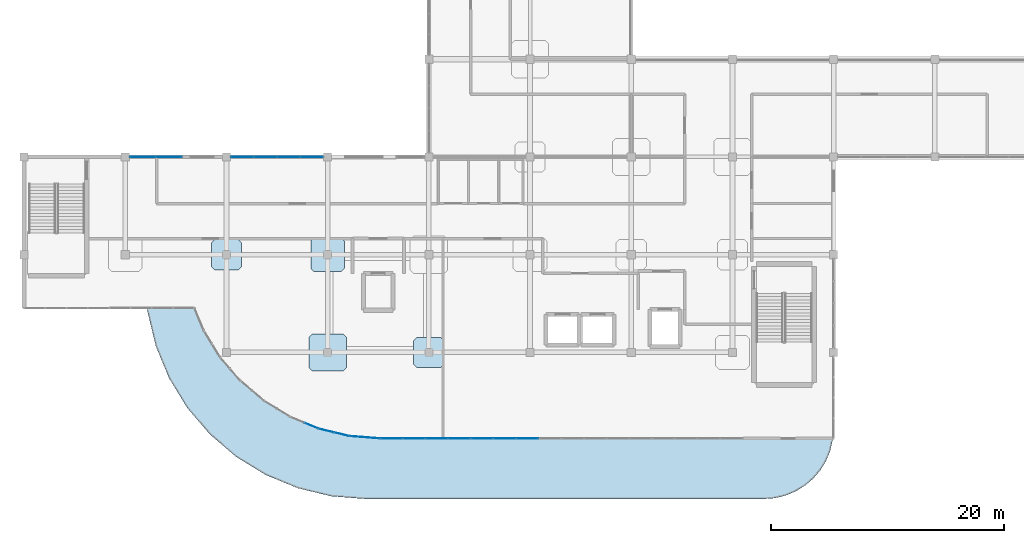
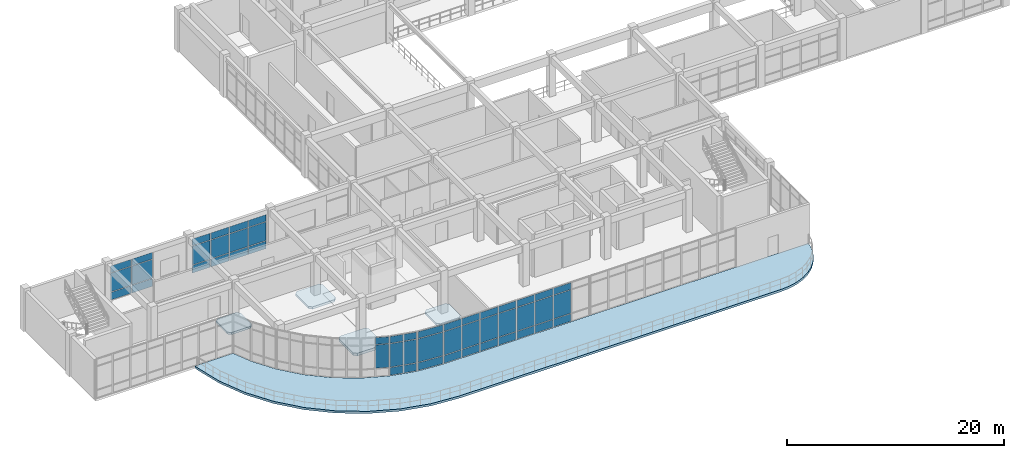
# One storey, part 47 of 64: 50 plates, 5 slabs, 7 elements without a shape of their own.
"""IFC4 building model written with IfcOpenShell, lengths in metres."""

from ifc_helpers import new_model, si_unit, derived_unit, direction, frame, origin, origin_2d, place, context, subcontext, project, spatial, polyline, rectangle, outline, extrude, material, layer, layer_set, type_object, element, aggregate, save


model = new_model("IFC4")

# Units and contexts
model_context = context("Model", 3, precision=1e-05, world=origin(), true_north=direction((0.0, 1.0)))
body_context = subcontext(model_context, "Body", "Model", "MODEL_VIEW")
ifc_project = project(units=[si_unit("LENGTHUNIT", "METRE"), si_unit("AREAUNIT", "SQUARE_METRE"), si_unit("VOLUMEUNIT", "CUBIC_METRE"), si_unit("PLANEANGLEUNIT", "RADIAN"), si_unit("MASSUNIT", "GRAM", prefix="KILO"), derived_unit("THERMALTRANSMITTANCEUNIT", [(si_unit("MASSUNIT", "GRAM", prefix="KILO"), 1), (si_unit("TIMEUNIT", "SECOND"), -3), (si_unit("THERMODYNAMICTEMPERATUREUNIT", "KELVIN"), -1)])], contexts=[model_context])

# Site, building, storey
site_placement = place(None, origin())
site = spatial("IfcSite", under=ifc_project, at=site_placement, CompositionType="ELEMENT")
building_placement = place(site_placement, origin())
building = spatial("IfcBuilding", under=site, at=building_placement, Name="Qinzheling Arcade Emporium", CompositionType="ELEMENT")
storey_placement = place(building_placement, frame((0.0, 0.0, 31.5)))
storey = spatial("IfcBuildingStorey", under=building, at=storey_placement, Name="L07", CompositionType="ELEMENT", Elevation=31.5)

# Slabs
ifc_material_1 = material(Name="Concrete C40", Category="concrete")
ifc_layer_1 = layer(ifc_material_1, 0.235107421875, Name="Concrete C40", Category="concrete")
ifc_layer_set_1 = layer_set([ifc_layer_1], Name="Concrete C40")
slab_type_1 = type_object("IfcSlabType", Name="Column Head Drop Panel 2600x2600x235 C40", PredefinedType="USERDEFINED", material=ifc_layer_set_1)
slab_1_placement = place(storey_placement, frame((0.0, 0.0, -0.514892578125)))
element("IfcSlab", 1, at=slab_1_placement, inside=storey, type_object=slab_type_1, Name="Column Drop Panel DP-L07-3-E", ObjectType="DROP_PANEL", PredefinedType="USERDEFINED", context=body_context, shape_type="SweptSolid", body=[
    extrude(outline(polyline([(16.3798828125, 32.300048828125), (18.419921875, 32.300048828125), (18.699951171875, 32.580078125), (18.699951171875, 34.6201171875), (18.419921875, 34.89990234375), (16.3798828125, 34.89990234375), (16.10009765625, 34.6201171875), (16.10009765625, 32.580078125), (16.3798828125, 32.300048828125)])), origin(), (0.0, 0.0, 1.0), 0.23486328125),
])
slab_2_placement = place(storey_placement, frame((0.0, 0.0, -0.514892578125)))
element("IfcSlab", 2, at=slab_2_placement, inside=storey, type_object=slab_type_1, Name="Column Drop Panel DP-L07-5-D", ObjectType="DROP_PANEL", PredefinedType="USERDEFINED", context=body_context, shape_type="SweptSolid", body=[
    extrude(outline(polyline([(33.780029296875, 23.89990234375), (35.820068359375, 23.89990234375), (36.10009765625, 24.179931640625), (36.10009765625, 26.219970703125), (35.820068359375, 26.5), (33.780029296875, 26.5), (33.5, 26.219970703125), (33.5, 24.179931640625), (33.780029296875, 23.89990234375)])), origin(), (0.0, 0.0, 1.0), 0.23486328125),
])
ifc_layer_2 = layer(ifc_material_1, 0.27001953125, Name="Concrete C40", Category="concrete")
ifc_layer_set_2 = layer_set([ifc_layer_2], Name="Concrete C40")
slab_type_2 = type_object("IfcSlabType", Name="Column Head Drop Panel 2900x2900x270 C40", PredefinedType="USERDEFINED", material=ifc_layer_set_2)
slab_3_placement = place(storey_placement, frame((0.0, 0.0, -0.550048828125)))
element("IfcSlab", 3, at=slab_3_placement, inside=storey, type_object=slab_type_2, Name="Column Drop Panel DP-L07-4-E", ObjectType="DROP_PANEL", PredefinedType="USERDEFINED", context=body_context, shape_type="SweptSolid", body=[
    extrude(outline(polyline([(24.929931640625, 32.14990234375), (27.27001953125, 32.14990234375), (27.550048828125, 32.429931640625), (27.550048828125, 34.77001953125), (27.27001953125, 35.050048828125), (24.929931640625, 35.050048828125), (24.64990234375, 34.77001953125), (24.64990234375, 32.429931640625), (24.929931640625, 32.14990234375)])), origin(), (0.0, 0.0, 1.0), 0.27001953125),
])
ifc_layer_3 = layer(ifc_material_1, 0.300048828125, Name="Concrete C40", Category="concrete")
ifc_layer_set_3 = layer_set([ifc_layer_3], Name="Concrete C40")
slab_type_3 = type_object("IfcSlabType", Name="Column Head Drop Panel 3200x3200x300 C40", PredefinedType="USERDEFINED", material=ifc_layer_set_3)
slab_4_placement = place(storey_placement, frame((0.0, 0.0, -0.580078125)))
element("IfcSlab", 4, at=slab_4_placement, inside=storey, type_object=slab_type_3, Name="Column Drop Panel DP-L07-4-D", ObjectType="DROP_PANEL", PredefinedType="USERDEFINED", context=body_context, shape_type="SweptSolid", body=[
    extrude(outline(polyline([(24.780029296875, 23.60009765625), (27.419921875, 23.60009765625), (27.699951171875, 23.8798828125), (27.699951171875, 26.52001953125), (27.419921875, 26.800048828125), (24.780029296875, 26.800048828125), (24.5, 26.52001953125), (24.5, 23.8798828125), (24.780029296875, 23.60009765625)])), origin(), (0.0, 0.0, 1.0), 0.300048828125),
])

# Curtain wall, plates
ifc_material_2 = material(Name="Anodised aluminium and solar-control double glazing", Category="aluminium")
ifc_layer_4 = layer(ifc_material_2, 0.159912109375, Name="Anodised aluminium and solar-control double glazing", Category="aluminium")
ifc_layer_set_4 = layer_set([ifc_layer_4], Name="Anodised aluminium and solar-control double glazing")
curtain_wall_type_1 = type_object("IfcCurtainWallType", Name="Atrium Clerestory Curtain Wall", PredefinedType="NOTDEFINED", material=ifc_layer_set_4)
curtain_wall_1_placement = place(storey_placement, origin())
curtain_wall_1 = element("IfcCurtainWall", 5, at=curtain_wall_1_placement, inside=storey, type_object=curtain_wall_type_1, Name="Curtain Wall CW-L07-411", PredefinedType="NOTDEFINED")
ifc_material_3 = material(Name="Laminated solar-control double glazing", Category="glass")
ifc_layer_5 = layer(ifc_material_3, 0.02197265625, Name="Laminated solar-control double glazing", Category="glass")
ifc_layer_set_5 = layer_set([ifc_layer_5], Name="Laminated solar-control double glazing")
plate_type_1 = type_object("IfcPlateType", Name="Low-E Double Glazed Curtain Panel 22mm", PredefinedType="CURTAIN_PANEL", material=ifc_layer_set_5)
plate_1_placement = place(storey_placement, frame((10.2041015625, 42.0, 0.06005859375), z_axis=(0.0, 0.0, 1.0), x_axis=(1.0, 0.0, 0.0)))
plate_1 = element("IfcPlate", 6, at=plate_1_placement, type_object=plate_type_1, Name="CW03 panel 1.1", PredefinedType="CURTAIN_PANEL", context=body_context, shape_type="SweptSolid", body=[
    extrude(rectangle(XDim=2.18408203125, YDim=0.02197265625, at=origin_2d()), origin(), (0.0, 0.0, 1.0), 0.860107421875),
])
plate_2_placement = place(storey_placement, frame((10.2041015625, 42.0, 0.97998046875), z_axis=(0.0, 0.0, 1.0), x_axis=(1.0, 0.0, 0.0)))
plate_2 = element("IfcPlate", 7, at=plate_2_placement, type_object=plate_type_1, Name="CW03 panel 1.2", PredefinedType="CURTAIN_PANEL", context=body_context, shape_type="SweptSolid", body=[
    extrude(rectangle(XDim=2.18408203125, YDim=0.02197265625, at=origin_2d()), origin(), (0.0, 0.0, 1.0), 2.094970703125),
])
plate_3_placement = place(storey_placement, frame((10.2041015625, 42.0, 3.134765625), z_axis=(0.0, 0.0, 1.0), x_axis=(1.0, 0.0, 0.0)))
plate_3 = element("IfcPlate", 8, at=plate_3_placement, type_object=plate_type_1, Name="CW03 panel 1.3", PredefinedType="CURTAIN_PANEL", context=body_context, shape_type="SweptSolid", body=[
    extrude(rectangle(XDim=2.18408203125, YDim=0.02197265625, at=origin_2d()), origin(), (0.0, 0.0, 1.0), 0.760009765625),
])
plate_4_placement = place(storey_placement, frame((12.447998046875, 42.0, 0.06005859375), z_axis=(0.0, 0.0, 1.0), x_axis=(1.0, 0.0, 0.0)))
plate_4 = element("IfcPlate", 9, at=plate_4_placement, type_object=plate_type_1, Name="CW03 panel 2.1", PredefinedType="CURTAIN_PANEL", context=body_context, shape_type="SweptSolid", body=[
    extrude(rectangle(XDim=2.18408203125, YDim=0.02197265625, at=origin_2d()), origin(), (0.0, 0.0, 1.0), 0.860107421875),
])
plate_5_placement = place(storey_placement, frame((12.447998046875, 42.0, 0.97998046875), z_axis=(0.0, 0.0, 1.0), x_axis=(1.0, 0.0, 0.0)))
plate_5 = element("IfcPlate", 10, at=plate_5_placement, type_object=plate_type_1, Name="CW03 panel 2.2", PredefinedType="CURTAIN_PANEL", context=body_context, shape_type="SweptSolid", body=[
    extrude(rectangle(XDim=2.18408203125, YDim=0.02197265625, at=origin_2d()), origin(), (0.0, 0.0, 1.0), 2.094970703125),
])
plate_6_placement = place(storey_placement, frame((12.447998046875, 42.0, 3.134765625), z_axis=(0.0, 0.0, 1.0), x_axis=(1.0, 0.0, 0.0)))
plate_6 = element("IfcPlate", 11, at=plate_6_placement, type_object=plate_type_1, Name="CW03 panel 2.3", PredefinedType="CURTAIN_PANEL", context=body_context, shape_type="SweptSolid", body=[
    extrude(rectangle(XDim=2.18408203125, YDim=0.02197265625, at=origin_2d()), origin(), (0.0, 0.0, 1.0), 0.760009765625),
])
aggregate(curtain_wall_1, [plate_1, plate_2, plate_3, plate_4, plate_5, plate_6])

curtain_wall_2_placement = place(storey_placement, origin())
curtain_wall_2 = element("IfcCurtainWall", 12, at=curtain_wall_2_placement, inside=storey, type_object=curtain_wall_type_1, Name="Curtain Wall CW-L07-412", PredefinedType="NOTDEFINED")
ifc_layer_6 = layer(ifc_material_3, 0.02392578125, Name="Laminated solar-control double glazing", Category="glass")
ifc_layer_set_6 = layer_set([ifc_layer_6], Name="Laminated solar-control double glazing")
plate_type_2 = type_object("IfcPlateType", Name="Low-E Double Glazed Curtain Panel 24mm", PredefinedType="CURTAIN_PANEL", material=ifc_layer_set_6)
plate_7_placement = place(storey_placement, frame((18.7666015625, 42.0, 0.06005859375), z_axis=(0.0, 0.0, 1.0), x_axis=(1.0, 0.0, 0.0)))
plate_7 = element("IfcPlate", 13, at=plate_7_placement, type_object=plate_type_2, Name="CW03 panel 1.1", PredefinedType="CURTAIN_PANEL", context=body_context, shape_type="SweptSolid", body=[
    extrude(rectangle(XDim=1.908935546875, YDim=0.02392578125, at=origin_2d()), origin(), (0.0, 0.0, 1.0), 0.860107421875),
])
plate_8_placement = place(storey_placement, frame((18.7666015625, 42.0, 0.97998046875), z_axis=(0.0, 0.0, 1.0), x_axis=(1.0, 0.0, 0.0)))
plate_8 = element("IfcPlate", 14, at=plate_8_placement, type_object=plate_type_2, Name="CW03 panel 1.2", PredefinedType="CURTAIN_PANEL", context=body_context, shape_type="SweptSolid", body=[
    extrude(rectangle(XDim=1.908935546875, YDim=0.02392578125, at=origin_2d()), origin(), (0.0, 0.0, 1.0), 2.094970703125),
])
plate_9_placement = place(storey_placement, frame((18.7666015625, 42.0, 3.134765625), z_axis=(0.0, 0.0, 1.0), x_axis=(1.0, 0.0, 0.0)))
plate_9 = element("IfcPlate", 15, at=plate_9_placement, type_object=plate_type_2, Name="CW03 panel 1.3", PredefinedType="CURTAIN_PANEL", context=body_context, shape_type="SweptSolid", body=[
    extrude(rectangle(XDim=1.908935546875, YDim=0.02392578125, at=origin_2d()), origin(), (0.0, 0.0, 1.0), 0.760009765625),
])
plate_10_placement = place(storey_placement, frame((20.75048828125, 42.0, 0.06005859375), z_axis=(0.0, 0.0, 1.0), x_axis=(1.0, 0.0, 0.0)))
plate_10 = element("IfcPlate", 16, at=plate_10_placement, type_object=plate_type_2, Name="CW03 panel 2.1", PredefinedType="CURTAIN_PANEL", context=body_context, shape_type="SweptSolid", body=[
    extrude(rectangle(XDim=1.93896484375, YDim=0.02392578125, at=origin_2d()), origin(), (0.0, 0.0, 1.0), 0.860107421875),
])
plate_11_placement = place(storey_placement, frame((20.75048828125, 42.0, 0.97998046875), z_axis=(0.0, 0.0, 1.0), x_axis=(1.0, 0.0, 0.0)))
plate_11 = element("IfcPlate", 17, at=plate_11_placement, type_object=plate_type_2, Name="CW03 panel 2.2", PredefinedType="CURTAIN_PANEL", context=body_context, shape_type="SweptSolid", body=[
    extrude(rectangle(XDim=1.93896484375, YDim=0.02392578125, at=origin_2d()), origin(), (0.0, 0.0, 1.0), 2.094970703125),
])
plate_12_placement = place(storey_placement, frame((20.75048828125, 42.0, 3.134765625), z_axis=(0.0, 0.0, 1.0), x_axis=(1.0, 0.0, 0.0)))
plate_12 = element("IfcPlate", 18, at=plate_12_placement, type_object=plate_type_2, Name="CW03 panel 2.3", PredefinedType="CURTAIN_PANEL", context=body_context, shape_type="SweptSolid", body=[
    extrude(rectangle(XDim=1.93896484375, YDim=0.02392578125, at=origin_2d()), origin(), (0.0, 0.0, 1.0), 0.760009765625),
])
plate_13_placement = place(storey_placement, frame((22.74951171875, 42.0, 0.06005859375), z_axis=(0.0, 0.0, 1.0), x_axis=(1.0, 0.0, 0.0)))
plate_13 = element("IfcPlate", 19, at=plate_13_placement, type_object=plate_type_2, Name="CW03 panel 3.1", PredefinedType="CURTAIN_PANEL", context=body_context, shape_type="SweptSolid", body=[
    extrude(rectangle(XDim=1.93896484375, YDim=0.02392578125, at=origin_2d()), origin(), (0.0, 0.0, 1.0), 0.860107421875),
])
plate_14_placement = place(storey_placement, frame((22.74951171875, 42.0, 0.97998046875), z_axis=(0.0, 0.0, 1.0), x_axis=(1.0, 0.0, 0.0)))
plate_14 = element("IfcPlate", 20, at=plate_14_placement, type_object=plate_type_2, Name="CW03 panel 3.2", PredefinedType="CURTAIN_PANEL", context=body_context, shape_type="SweptSolid", body=[
    extrude(rectangle(XDim=1.93896484375, YDim=0.02392578125, at=origin_2d()), origin(), (0.0, 0.0, 1.0), 2.094970703125),
])
plate_15_placement = place(storey_placement, frame((22.74951171875, 42.0, 3.134765625), z_axis=(0.0, 0.0, 1.0), x_axis=(1.0, 0.0, 0.0)))
plate_15 = element("IfcPlate", 21, at=plate_15_placement, type_object=plate_type_2, Name="CW03 panel 3.3", PredefinedType="CURTAIN_PANEL", context=body_context, shape_type="SweptSolid", body=[
    extrude(rectangle(XDim=1.93896484375, YDim=0.02392578125, at=origin_2d()), origin(), (0.0, 0.0, 1.0), 0.760009765625),
])
plate_16_placement = place(storey_placement, frame((24.7333984375, 42.0, 0.06005859375), z_axis=(0.0, 0.0, 1.0), x_axis=(1.0, 0.0, 0.0)))
plate_16 = element("IfcPlate", 22, at=plate_16_placement, type_object=plate_type_2, Name="CW03 panel 4.1", PredefinedType="CURTAIN_PANEL", context=body_context, shape_type="SweptSolid", body=[
    extrude(rectangle(XDim=1.908935546875, YDim=0.02392578125, at=origin_2d()), origin(), (0.0, 0.0, 1.0), 0.860107421875),
])
plate_17_placement = place(storey_placement, frame((24.7333984375, 42.0, 0.97998046875), z_axis=(0.0, 0.0, 1.0), x_axis=(1.0, 0.0, 0.0)))
plate_17 = element("IfcPlate", 23, at=plate_17_placement, type_object=plate_type_2, Name="CW03 panel 4.2", PredefinedType="CURTAIN_PANEL", context=body_context, shape_type="SweptSolid", body=[
    extrude(rectangle(XDim=1.908935546875, YDim=0.02392578125, at=origin_2d()), origin(), (0.0, 0.0, 1.0), 2.094970703125),
])
plate_18_placement = place(storey_placement, frame((24.7333984375, 42.0, 3.134765625), z_axis=(0.0, 0.0, 1.0), x_axis=(1.0, 0.0, 0.0)))
plate_18 = element("IfcPlate", 24, at=plate_18_placement, type_object=plate_type_2, Name="CW03 panel 4.3", PredefinedType="CURTAIN_PANEL", context=body_context, shape_type="SweptSolid", body=[
    extrude(rectangle(XDim=1.908935546875, YDim=0.02392578125, at=origin_2d()), origin(), (0.0, 0.0, 1.0), 0.760009765625),
])
aggregate(curtain_wall_2, [plate_7, plate_8, plate_9, plate_10, plate_11, plate_12, plate_13, plate_14, plate_15, plate_16, plate_17, plate_18])

ifc_layer_7 = layer(ifc_material_2, 0.159912109375, Name="Anodised aluminium and solar-control double glazing", Category="aluminium")
ifc_layer_set_7 = layer_set([ifc_layer_7], Name="Anodised aluminium and solar-control double glazing")
curtain_wall_type_2 = type_object("IfcCurtainWallType", Name="Arcade Portal Glazed Curtain Wall", PredefinedType="NOTDEFINED", material=ifc_layer_set_7)
curtain_wall_3_placement = place(storey_placement, origin())
curtain_wall_3 = element("IfcCurtainWall", 25, at=curtain_wall_3_placement, inside=storey, type_object=curtain_wall_type_2, Name="Curtain Wall CW-L07-399", PredefinedType="NOTDEFINED")
ifc_layer_8 = layer(ifc_material_3, 0.027099609375, Name="Laminated solar-control double glazing", Category="glass")
ifc_layer_set_8 = layer_set([ifc_layer_8], Name="Laminated solar-control double glazing")
plate_type_3 = type_object("IfcPlateType", Name="Low-E Double Glazed Curtain Panel 27mm", PredefinedType="CURTAIN_PANEL", material=ifc_layer_set_8)
plate_19_placement = place(storey_placement, frame((43.2744140625, 17.800048828125, 0.06005859375), z_axis=(0.0, 0.0, 1.0), x_axis=(-1.0, 0.0, 0.0)))
plate_19 = element("IfcPlate", 26, at=plate_19_placement, type_object=plate_type_3, Name="CW05 panel 2.1", PredefinedType="CURTAIN_PANEL", context=body_context, shape_type="SweptSolid", body=[
    extrude(rectangle(XDim=1.888916015625, YDim=0.027099609375, at=origin_2d()), origin(), (0.0, 0.0, 1.0), 0.860107421875),
])
plate_20_placement = place(storey_placement, frame((43.2744140625, 17.800048828125, 0.97998046875), z_axis=(0.0, 0.0, 1.0), x_axis=(-1.0, 0.0, 0.0)))
plate_20 = element("IfcPlate", 27, at=plate_20_placement, type_object=plate_type_3, Name="CW05 panel 2.2", PredefinedType="CURTAIN_PANEL", context=body_context, shape_type="SweptSolid", body=[
    extrude(rectangle(XDim=1.888916015625, YDim=0.027099609375, at=origin_2d()), origin(), (0.0, 0.0, 1.0), 2.6298828125),
])
plate_21_placement = place(storey_placement, frame((43.2744140625, 17.800048828125, 3.669921875), z_axis=(0.0, 0.0, 1.0), x_axis=(-1.0, 0.0, 0.0)))
plate_21 = element("IfcPlate", 28, at=plate_21_placement, type_object=plate_type_3, Name="CW05 panel 2.3", PredefinedType="CURTAIN_PANEL", context=body_context, shape_type="SweptSolid", body=[
    extrude(rectangle(XDim=1.888916015625, YDim=0.027099609375, at=origin_2d()), origin(), (0.0, 0.0, 1.0), 0.760009765625),
])
plate_22_placement = place(storey_placement, frame((41.325439453125, 17.800048828125, 0.06005859375), z_axis=(0.0, 0.0, 1.0), x_axis=(-1.0, 0.0, 0.0)))
plate_22 = element("IfcPlate", 29, at=plate_22_placement, type_object=plate_type_3, Name="CW05 panel 3.1", PredefinedType="CURTAIN_PANEL", context=body_context, shape_type="SweptSolid", body=[
    extrude(rectangle(XDim=1.888916015625, YDim=0.027099609375, at=origin_2d()), origin(), (0.0, 0.0, 1.0), 0.860107421875),
])
plate_23_placement = place(storey_placement, frame((41.325439453125, 17.800048828125, 0.97998046875), z_axis=(0.0, 0.0, 1.0), x_axis=(-1.0, 0.0, 0.0)))
plate_23 = element("IfcPlate", 30, at=plate_23_placement, type_object=plate_type_3, Name="CW05 panel 3.2", PredefinedType="CURTAIN_PANEL", context=body_context, shape_type="SweptSolid", body=[
    extrude(rectangle(XDim=1.888916015625, YDim=0.027099609375, at=origin_2d()), origin(), (0.0, 0.0, 1.0), 2.6298828125),
])
plate_24_placement = place(storey_placement, frame((41.325439453125, 17.800048828125, 3.669921875), z_axis=(0.0, 0.0, 1.0), x_axis=(-1.0, 0.0, 0.0)))
plate_24 = element("IfcPlate", 31, at=plate_24_placement, type_object=plate_type_3, Name="CW05 panel 3.3", PredefinedType="CURTAIN_PANEL", context=body_context, shape_type="SweptSolid", body=[
    extrude(rectangle(XDim=1.888916015625, YDim=0.027099609375, at=origin_2d()), origin(), (0.0, 0.0, 1.0), 0.760009765625),
])
plate_25_placement = place(storey_placement, frame((39.3916015625, 17.800048828125, 0.06005859375), z_axis=(0.0, 0.0, 1.0), x_axis=(-1.0, 0.0, 0.0)))
plate_25 = element("IfcPlate", 32, at=plate_25_placement, type_object=plate_type_3, Name="CW05 panel 4.1", PredefinedType="CURTAIN_PANEL", context=body_context, shape_type="SweptSolid", body=[
    extrude(rectangle(XDim=1.85888671875, YDim=0.027099609375, at=origin_2d()), origin(), (0.0, 0.0, 1.0), 0.860107421875),
])
plate_26_placement = place(storey_placement, frame((39.3916015625, 17.800048828125, 0.97998046875), z_axis=(0.0, 0.0, 1.0), x_axis=(-1.0, 0.0, 0.0)))
plate_26 = element("IfcPlate", 33, at=plate_26_placement, type_object=plate_type_3, Name="CW05 panel 4.2", PredefinedType="CURTAIN_PANEL", context=body_context, shape_type="SweptSolid", body=[
    extrude(rectangle(XDim=1.85888671875, YDim=0.027099609375, at=origin_2d()), origin(), (0.0, 0.0, 1.0), 2.6298828125),
])
plate_27_placement = place(storey_placement, frame((39.3916015625, 17.800048828125, 3.669921875), z_axis=(0.0, 0.0, 1.0), x_axis=(-1.0, 0.0, 0.0)))
plate_27 = element("IfcPlate", 34, at=plate_27_placement, type_object=plate_type_3, Name="CW05 panel 4.3", PredefinedType="CURTAIN_PANEL", context=body_context, shape_type="SweptSolid", body=[
    extrude(rectangle(XDim=1.85888671875, YDim=0.027099609375, at=origin_2d()), origin(), (0.0, 0.0, 1.0), 0.760009765625),
])
aggregate(curtain_wall_3, [plate_19, plate_20, plate_21, plate_22, plate_23, plate_24, plate_25, plate_26, plate_27])

curtain_wall_4_placement = place(storey_placement, origin())
curtain_wall_4 = element("IfcCurtainWall", 35, at=curtain_wall_4_placement, inside=storey, type_object=curtain_wall_type_2, Name="Curtain Wall CW-L07-400", PredefinedType="NOTDEFINED")
ifc_layer_9 = layer(ifc_material_3, 0.028076171875, Name="Laminated solar-control double glazing", Category="glass")
ifc_layer_set_9 = layer_set([ifc_layer_9], Name="Laminated solar-control double glazing")
plate_type_4 = type_object("IfcPlateType", Name="Low-E Double Glazed Curtain Panel 28mm", PredefinedType="CURTAIN_PANEL", material=ifc_layer_set_9)
plate_28_placement = place(storey_placement, frame((37.408203125, 17.800048828125, 0.06005859375), z_axis=(0.0, 0.0, 1.0), x_axis=(-1.0, 0.0, 0.0)))
plate_28 = element("IfcPlate", 36, at=plate_28_placement, type_object=plate_type_4, Name="CW05 panel 1.1", PredefinedType="CURTAIN_PANEL", context=body_context, shape_type="SweptSolid", body=[
    extrude(rectangle(XDim=1.859619140625, YDim=0.028076171875, at=origin_2d()), origin(), (0.0, 0.0, 1.0), 0.860107421875),
])
plate_29_placement = place(storey_placement, frame((37.408203125, 17.800048828125, 0.97998046875), z_axis=(0.0, 0.0, 1.0), x_axis=(-1.0, 0.0, 0.0)))
plate_29 = element("IfcPlate", 37, at=plate_29_placement, type_object=plate_type_4, Name="CW05 panel 1.2", PredefinedType="CURTAIN_PANEL", context=body_context, shape_type="SweptSolid", body=[
    extrude(rectangle(XDim=1.859619140625, YDim=0.028076171875, at=origin_2d()), origin(), (0.0, 0.0, 1.0), 2.6298828125),
])
plate_30_placement = place(storey_placement, frame((37.408203125, 17.800048828125, 3.669921875), z_axis=(0.0, 0.0, 1.0), x_axis=(-1.0, 0.0, 0.0)))
plate_30 = element("IfcPlate", 38, at=plate_30_placement, type_object=plate_type_4, Name="CW05 panel 1.3", PredefinedType="CURTAIN_PANEL", context=body_context, shape_type="SweptSolid", body=[
    extrude(rectangle(XDim=1.859619140625, YDim=0.028076171875, at=origin_2d()), origin(), (0.0, 0.0, 1.0), 0.760009765625),
])
plate_31_placement = place(storey_placement, frame((35.4736328125, 17.800048828125, 0.06005859375), z_axis=(0.0, 0.0, 1.0), x_axis=(-1.0, 0.0, 0.0)))
plate_31 = element("IfcPlate", 39, at=plate_31_placement, type_object=plate_type_4, Name="CW05 panel 2.1", PredefinedType="CURTAIN_PANEL", context=body_context, shape_type="SweptSolid", body=[
    extrude(rectangle(XDim=1.889404296875, YDim=0.028076171875, at=origin_2d()), origin(), (0.0, 0.0, 1.0), 0.860107421875),
])
plate_32_placement = place(storey_placement, frame((35.4736328125, 17.800048828125, 0.97998046875), z_axis=(0.0, 0.0, 1.0), x_axis=(-1.0, 0.0, 0.0)))
plate_32 = element("IfcPlate", 40, at=plate_32_placement, type_object=plate_type_4, Name="CW05 panel 2.2", PredefinedType="CURTAIN_PANEL", context=body_context, shape_type="SweptSolid", body=[
    extrude(rectangle(XDim=1.889404296875, YDim=0.028076171875, at=origin_2d()), origin(), (0.0, 0.0, 1.0), 2.6298828125),
])
plate_33_placement = place(storey_placement, frame((35.4736328125, 17.800048828125, 3.669921875), z_axis=(0.0, 0.0, 1.0), x_axis=(-1.0, 0.0, 0.0)))
plate_33 = element("IfcPlate", 41, at=plate_33_placement, type_object=plate_type_4, Name="CW05 panel 2.3", PredefinedType="CURTAIN_PANEL", context=body_context, shape_type="SweptSolid", body=[
    extrude(rectangle(XDim=1.889404296875, YDim=0.028076171875, at=origin_2d()), origin(), (0.0, 0.0, 1.0), 0.760009765625),
])
plate_34_placement = place(storey_placement, frame((33.524169921875, 17.800048828125, 0.06005859375), z_axis=(0.0, 0.0, 1.0), x_axis=(-1.0, 0.0, 0.0)))
plate_34 = element("IfcPlate", 42, at=plate_34_placement, type_object=plate_type_4, Name="CW05 panel 3.1", PredefinedType="CURTAIN_PANEL", context=body_context, shape_type="SweptSolid", body=[
    extrude(rectangle(XDim=1.889404296875, YDim=0.028076171875, at=origin_2d()), origin(), (0.0, 0.0, 1.0), 0.860107421875),
])
plate_35_placement = place(storey_placement, frame((33.524169921875, 17.800048828125, 0.97998046875), z_axis=(0.0, 0.0, 1.0), x_axis=(-1.0, 0.0, 0.0)))
plate_35 = element("IfcPlate", 43, at=plate_35_placement, type_object=plate_type_4, Name="CW05 panel 3.2", PredefinedType="CURTAIN_PANEL", context=body_context, shape_type="SweptSolid", body=[
    extrude(rectangle(XDim=1.889404296875, YDim=0.028076171875, at=origin_2d()), origin(), (0.0, 0.0, 1.0), 2.6298828125),
])
plate_36_placement = place(storey_placement, frame((33.524169921875, 17.800048828125, 3.669921875), z_axis=(0.0, 0.0, 1.0), x_axis=(-1.0, 0.0, 0.0)))
plate_36 = element("IfcPlate", 44, at=plate_36_placement, type_object=plate_type_4, Name="CW05 panel 3.3", PredefinedType="CURTAIN_PANEL", context=body_context, shape_type="SweptSolid", body=[
    extrude(rectangle(XDim=1.889404296875, YDim=0.028076171875, at=origin_2d()), origin(), (0.0, 0.0, 1.0), 0.760009765625),
])
plate_37_placement = place(storey_placement, frame((31.58984375, 17.800048828125, 0.06005859375), z_axis=(0.0, 0.0, 1.0), x_axis=(-1.0, 0.0, 0.0)))
plate_37 = element("IfcPlate", 45, at=plate_37_placement, type_object=plate_type_4, Name="CW05 panel 4.1", PredefinedType="CURTAIN_PANEL", context=body_context, shape_type="SweptSolid", body=[
    extrude(rectangle(XDim=1.859619140625, YDim=0.028076171875, at=origin_2d()), origin(), (0.0, 0.0, 1.0), 0.860107421875),
])
plate_38_placement = place(storey_placement, frame((31.58984375, 17.800048828125, 0.97998046875), z_axis=(0.0, 0.0, 1.0), x_axis=(-1.0, 0.0, 0.0)))
plate_38 = element("IfcPlate", 46, at=plate_38_placement, type_object=plate_type_4, Name="CW05 panel 4.2", PredefinedType="CURTAIN_PANEL", context=body_context, shape_type="SweptSolid", body=[
    extrude(rectangle(XDim=1.859619140625, YDim=0.028076171875, at=origin_2d()), origin(), (0.0, 0.0, 1.0), 2.6298828125),
])
plate_39_placement = place(storey_placement, frame((31.58984375, 17.800048828125, 3.669921875), z_axis=(0.0, 0.0, 1.0), x_axis=(-1.0, 0.0, 0.0)))
plate_39 = element("IfcPlate", 47, at=plate_39_placement, type_object=plate_type_4, Name="CW05 panel 4.3", PredefinedType="CURTAIN_PANEL", context=body_context, shape_type="SweptSolid", body=[
    extrude(rectangle(XDim=1.859619140625, YDim=0.028076171875, at=origin_2d()), origin(), (0.0, 0.0, 1.0), 0.760009765625),
])
aggregate(curtain_wall_4, [plate_28, plate_29, plate_30, plate_31, plate_32, plate_33, plate_34, plate_35, plate_36, plate_37, plate_38, plate_39])

curtain_wall_5_placement = place(storey_placement, origin())
curtain_wall_5 = element("IfcCurtainWall", 48, at=curtain_wall_5_placement, inside=storey, type_object=curtain_wall_type_2, Name="Curtain Wall CW-L07-401", PredefinedType="NOTDEFINED")
ifc_layer_10 = layer(ifc_material_3, 0.029052734375, Name="Laminated solar-control double glazing", Category="glass")
ifc_layer_set_10 = layer_set([ifc_layer_10], Name="Laminated solar-control double glazing")
plate_type_5 = type_object("IfcPlateType", Name="Low-E Double Glazed Curtain Panel 29mm", PredefinedType="CURTAIN_PANEL", material=ifc_layer_set_10)
plate_40_placement = place(storey_placement, frame((29.2705078125, 17.904541015625, 0.06005859375), z_axis=(0.0, 0.0, 1.0), x_axis=(-0.996925183256, 0.07835929421, 0.0)))
plate_40 = element("IfcPlate", 49, at=plate_40_placement, type_object=plate_type_5, Name="CW05 panel 1.1", PredefinedType="CURTAIN_PANEL", context=body_context, shape_type="SweptSolid", body=[
    extrude(rectangle(XDim=2.547119140625, YDim=0.029052734375, at=origin_2d()), origin(), (0.0, 0.0, 1.0), 0.860107421875),
])
plate_41_placement = place(storey_placement, frame((29.2705078125, 17.904541015625, 0.97998046875), z_axis=(0.0, 0.0, 1.0), x_axis=(-0.996925183256, 0.07835929421, 0.0)))
plate_41 = element("IfcPlate", 50, at=plate_41_placement, type_object=plate_type_5, Name="CW05 panel 1.2", PredefinedType="CURTAIN_PANEL", context=body_context, shape_type="SweptSolid", body=[
    extrude(rectangle(XDim=2.547119140625, YDim=0.029052734375, at=origin_2d()), origin(), (0.0, 0.0, 1.0), 2.6298828125),
])
plate_42_placement = place(storey_placement, frame((29.2705078125, 17.904541015625, 3.669921875), z_axis=(0.0, 0.0, 1.0), x_axis=(-0.996925183256, 0.07835929421, 0.0)))
plate_42 = element("IfcPlate", 51, at=plate_42_placement, type_object=plate_type_5, Name="CW05 panel 1.3", PredefinedType="CURTAIN_PANEL", context=body_context, shape_type="SweptSolid", body=[
    extrude(rectangle(XDim=2.547119140625, YDim=0.029052734375, at=origin_2d()), origin(), (0.0, 0.0, 1.0), 0.760009765625),
])
aggregate(curtain_wall_5, [plate_40, plate_41, plate_42])

ifc_layer_11 = layer(ifc_material_2, 0.159912109375, Name="Anodised aluminium and solar-control double glazing", Category="aluminium")
ifc_layer_set_11 = layer_set([ifc_layer_11], Name="Anodised aluminium and solar-control double glazing")
curtain_wall_type_3 = type_object("IfcCurtainWallType", Name="Curved Ribbon Sales Curtain Wall", PredefinedType="NOTDEFINED", material=ifc_layer_set_11)
curtain_wall_6_placement = place(storey_placement, origin())
curtain_wall_6 = element("IfcCurtainWall", 52, at=curtain_wall_6_placement, inside=storey, type_object=curtain_wall_type_3, Name="Curtain Wall CW-L07-402", PredefinedType="NOTDEFINED")
ifc_layer_12 = layer(ifc_material_3, 0.030029296875, Name="Laminated solar-control double glazing", Category="glass")
ifc_layer_set_12 = layer_set([ifc_layer_12], Name="Laminated solar-control double glazing")
plate_type_6 = type_object("IfcPlateType", Name="Low-E Double Glazed Curtain Panel 30mm", PredefinedType="CURTAIN_PANEL", material=ifc_layer_set_12)
plate_43_placement = place(storey_placement, frame((27.27783203125, 18.168212890625, 0.06005859375), z_axis=(0.0, 0.0, 1.0), x_axis=(-0.97234986161, 0.233528898914, 0.0)))
plate_43 = element("IfcPlate", 53, at=plate_43_placement, type_object=plate_type_6, Name="CW02 panel 1.1", PredefinedType="CURTAIN_PANEL", context=body_context, shape_type="SweptSolid", body=[
    extrude(rectangle(XDim=1.243896484375, YDim=0.030029296875, at=origin_2d()), origin(), (0.0, 0.0, 1.0), 0.860107421875),
])
plate_44_placement = place(storey_placement, frame((27.27783203125, 18.168212890625, 0.97998046875), z_axis=(0.0, 0.0, 1.0), x_axis=(-0.97234986161, 0.233528898914, 0.0)))
plate_44 = element("IfcPlate", 54, at=plate_44_placement, type_object=plate_type_6, Name="CW02 panel 1.2", PredefinedType="CURTAIN_PANEL", context=body_context, shape_type="SweptSolid", body=[
    extrude(rectangle(XDim=1.243896484375, YDim=0.030029296875, at=origin_2d()), origin(), (0.0, 0.0, 1.0), 2.6298828125),
])
plate_45_placement = place(storey_placement, frame((27.27783203125, 18.168212890625, 3.669921875), z_axis=(0.0, 0.0, 1.0), x_axis=(-0.97234986161, 0.233528898914, 0.0)))
plate_45 = element("IfcPlate", 55, at=plate_45_placement, type_object=plate_type_6, Name="CW02 panel 1.3", PredefinedType="CURTAIN_PANEL", context=body_context, shape_type="SweptSolid", body=[
    extrude(rectangle(XDim=1.243896484375, YDim=0.030029296875, at=origin_2d()), origin(), (0.0, 0.0, 1.0), 0.760009765625),
])
plate_46_placement = place(storey_placement, frame((26.010009765625, 18.47265625, 0.06005859375), z_axis=(0.0, 0.0, 1.0), x_axis=(-0.97234986161, 0.233528898914, 0.0)))
plate_46 = element("IfcPlate", 56, at=plate_46_placement, type_object=plate_type_6, Name="CW02 panel 2.1", PredefinedType="CURTAIN_PANEL", context=body_context, shape_type="SweptSolid", body=[
    extrude(rectangle(XDim=1.243896484375, YDim=0.030029296875, at=origin_2d()), origin(), (0.0, 0.0, 1.0), 0.860107421875),
])
plate_47_placement = place(storey_placement, frame((26.010009765625, 18.47265625, 0.97998046875), z_axis=(0.0, 0.0, 1.0), x_axis=(-0.97234986161, 0.233528898914, 0.0)))
plate_47 = element("IfcPlate", 57, at=plate_47_placement, type_object=plate_type_6, Name="CW02 panel 2.2", PredefinedType="CURTAIN_PANEL", context=body_context, shape_type="SweptSolid", body=[
    extrude(rectangle(XDim=1.243896484375, YDim=0.030029296875, at=origin_2d()), origin(), (0.0, 0.0, 1.0), 2.6298828125),
])
plate_48_placement = place(storey_placement, frame((26.010009765625, 18.47265625, 3.669921875), z_axis=(0.0, 0.0, 1.0), x_axis=(-0.97234986161, 0.233528898914, 0.0)))
plate_48 = element("IfcPlate", 58, at=plate_48_placement, type_object=plate_type_6, Name="CW02 panel 2.3", PredefinedType="CURTAIN_PANEL", context=body_context, shape_type="SweptSolid", body=[
    extrude(rectangle(XDim=1.243896484375, YDim=0.030029296875, at=origin_2d()), origin(), (0.0, 0.0, 1.0), 0.760009765625),
])
aggregate(curtain_wall_6, [plate_43, plate_44, plate_45, plate_46, plate_47, plate_48])

curtain_wall_7_placement = place(storey_placement, origin())
curtain_wall_7 = element("IfcCurtainWall", 59, at=curtain_wall_7_placement, inside=storey, type_object=curtain_wall_type_3, Name="Curtain Wall CW-L07-403", PredefinedType="NOTDEFINED")
ifc_layer_13 = layer(ifc_material_3, 0.031005859375, Name="Laminated solar-control double glazing", Category="glass")
ifc_layer_set_13 = layer_set([ifc_layer_13], Name="Laminated solar-control double glazing")
plate_type_7 = type_object("IfcPlateType", Name="Low-E Double Glazed Curtain Panel 31mm", PredefinedType="CURTAIN_PANEL", material=ifc_layer_set_13)
plate_49_placement = place(storey_placement, frame((24.716796875, 18.89306640625, 0.97998046875), z_axis=(0.0, 0.0, 1.0), x_axis=(-0.923884360021, 0.382671777518, 0.0)))
plate_49 = element("IfcPlate", 60, at=plate_49_placement, type_object=plate_type_7, Name="CW02 panel 1.2", PredefinedType="CURTAIN_PANEL", context=body_context, shape_type="SweptSolid", body=[
    extrude(rectangle(XDim=1.244140625, YDim=0.031005859375, at=origin_2d()), origin(), (0.0, 0.0, 1.0), 2.6298828125),
])
plate_50_placement = place(storey_placement, frame((24.716796875, 18.89306640625, 3.669921875), z_axis=(0.0, 0.0, 1.0), x_axis=(-0.923884360021, 0.382671777518, 0.0)))
plate_50 = element("IfcPlate", 61, at=plate_50_placement, type_object=plate_type_7, Name="CW02 panel 1.3", PredefinedType="CURTAIN_PANEL", context=body_context, shape_type="SweptSolid", body=[
    extrude(rectangle(XDim=1.244140625, YDim=0.031005859375, at=origin_2d()), origin(), (0.0, 0.0, 1.0), 0.760009765625),
])
aggregate(curtain_wall_7, [plate_49, plate_50])

# Slab
ifc_layer_14 = layer(ifc_material_1, 0.25, Name="Concrete C40", Category="concrete")
ifc_layer_set_14 = layer_set([ifc_layer_14], Name="Concrete C40")
slab_type_4 = type_object("IfcSlabType", Name="Outdoor Dining Terrace Slab 250 C40", PredefinedType="FLOOR", material=ifc_layer_set_14)
slab_5_placement = place(storey_placement, frame((0.0, 0.0, -0.25)))
element("IfcSlab", 62, at=slab_5_placement, inside=storey, type_object=slab_type_4, Name="Outdoor Terrace SLB-TR-V1-L07", PredefinedType="FLOOR", context=body_context, shape_type="SweptSolid", body=[
    extrude(outline(polyline([(69.537109375, 17.800048828125), (30.60009765625, 17.800048828125), (27.94091796875, 18.009033203125), (25.346923828125, 18.632080078125), (22.882080078125, 19.653076171875), (20.60791015625, 21.047119140625), (18.5791015625, 22.779052734375), (16.846923828125, 24.80810546875), (15.452880859375, 27.08203125), (14.658935546875, 29.0), (10.60498046875, 29.0), (10.634033203125, 28.6279296875), (11.330078125, 25.72900390625), (12.470947265625, 22.97412109375), (14.029052734375, 20.431884765625), (15.965087890625, 18.1650390625), (18.23193359375, 16.22900390625), (20.77392578125, 14.6708984375), (23.529052734375, 13.530029296875), (26.427978515625, 12.833984375), (29.39990234375, 12.60009765625), (63.60009765625, 12.60009765625), (64.5390625, 12.674072265625), (65.4541015625, 12.89404296875), (66.323974609375, 13.25390625), (67.126953125, 13.74609375), (67.843017578125, 14.35693359375), (68.4541015625, 15.072998046875), (68.946044921875, 15.8759765625), (69.305908203125, 16.74609375), (69.537109375, 17.800048828125)])), origin(), (0.0, 0.0, 1.0), 0.25),
])

save(model, "model.ifc")
